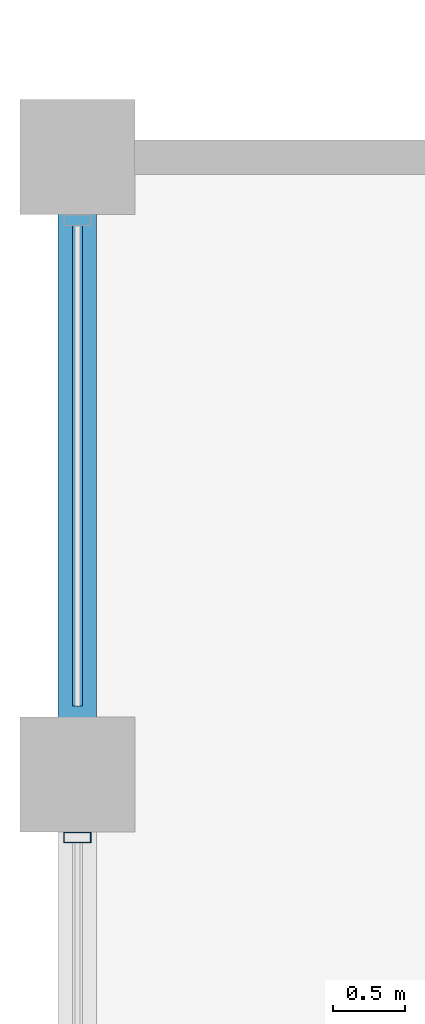
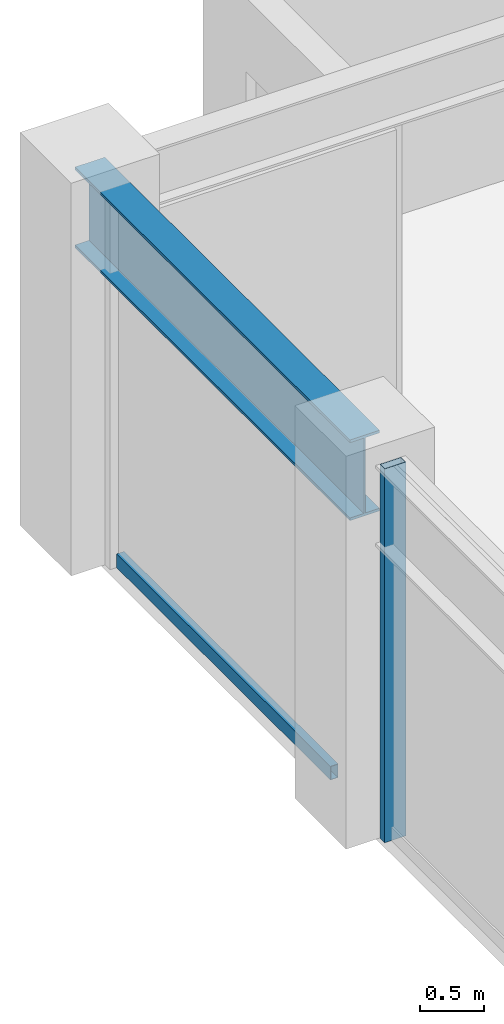
# One storey, part 16 of 32: 2 members, 1 beam, 1 element without a shape of its own.
"""IFC4 building model written with IfcOpenShell, lengths in metres."""

from ifc_helpers import new_model, si_unit, direction, frame, origin, origin_2d, place, context, subcontext, project, spatial, hollow_rectangle, i_section, extrude, material, layer, layer_set, material_profile, profile_set, type_object, element, aggregate, save


model = new_model("IFC4")

# Units and contexts
model_context = context("Model", 3, precision=1e-05, world=origin(), true_north=direction((0.0, 1.0)))
body_context = subcontext(model_context, "Body", "Model", "MODEL_VIEW")
ifc_project = project(units=[si_unit("LENGTHUNIT", "METRE"), si_unit("AREAUNIT", "SQUARE_METRE"), si_unit("VOLUMEUNIT", "CUBIC_METRE"), si_unit("PLANEANGLEUNIT", "RADIAN"), si_unit("MASSUNIT", "GRAM", prefix="KILO")], contexts=[model_context])

# Site, building, storey
site_placement = place(None, origin())
site = spatial("IfcSite", under=ifc_project, at=site_placement, CompositionType="ELEMENT")
building_placement = place(site_placement, origin())
building = spatial("IfcBuilding", under=site, at=building_placement, Name="Surkhivell Harbour Commons", CompositionType="ELEMENT")
storey_placement = place(building_placement, frame((0.0, 0.0, 216.0)))
storey = spatial("IfcBuildingStorey", under=building, at=storey_placement, Name="L56", CompositionType="ELEMENT", Elevation=216.0)

# Beam
ifc_material_1 = material(Name="Steel S355", Category="steel")
ifc_material_profile_1 = material_profile(ifc_material_1, i_section(OverallWidth=0.26806640625, OverallDepth=0.77001953125, WebThickness=0.015625, FlangeThickness=0.025390625, at=origin_2d()), Name="UB762x267x197")
ifc_profile_set_1 = profile_set([ifc_material_profile_1], Name="Steel S355")
beam_type = type_object("IfcBeamType", Name="BM-SPN-762", PredefinedType="SPANDREL", material=ifc_profile_set_1)
beam_placement = place(storey_placement, frame((-27.0, 16.199951171875, 3.18505859375), z_axis=(0.0, 1.0, 0.0), x_axis=(-1.0, 0.0, 0.0)))
element("IfcBeam", 1, at=beam_placement, inside=storey, type_object=beam_type, Name="L56 Tube Spandrel (-27.0,16.2)", PredefinedType="SPANDREL", context=body_context, shape_type="SweptSolid", body=[
    extrude(i_section(OverallWidth=0.26806640625, OverallDepth=0.77001953125, WebThickness=0.015625, FlangeThickness=0.025390625, at=origin_2d()), origin(), (0.0, 0.0, 1.0), 4.300048828125),
])

# Curtain wall, members
ifc_material_2 = material(Name="Anodised pale-metal aluminium and insulated glazing", Category="aluminium")
ifc_layer = layer(ifc_material_2, 0.18994140625)
ifc_layer_set = layer_set([ifc_layer], Name="Anodised pale-metal aluminium and insulated glazing")
curtain_wall_type = type_object("IfcCurtainWallType", Name="CW-SYS-Z3", PredefinedType="NOTDEFINED", material=ifc_layer_set)
curtain_wall_placement = place(storey_placement, origin())
curtain_wall = element("IfcCurtainWall", 2, at=curtain_wall_placement, inside=storey, type_object=curtain_wall_type, Name="L56 Curtain Wall CW-L56-E12S1", PredefinedType="NOTDEFINED")
ifc_material_3 = material(Name="Anodised pale-metal aluminium alloy 6063-T6", Category="aluminium")
ifc_material_profile_2 = material_profile(ifc_material_3, hollow_rectangle(XDim=0.074951171875, YDim=0.18994140625, WallThickness=0.00390625, at=origin_2d()), Name="ALU-MULL-75x190")
ifc_profile_set_2 = profile_set([ifc_material_profile_2], Name="Anodised pale-metal aluminium alloy 6063-T6")
member_type_1 = type_object("IfcMemberType", Name="CWM-190", PredefinedType="MULLION", material=ifc_profile_set_2)
member_1_placement = place(storey_placement, frame((-27.0, 15.760498046875, 0.0), z_axis=(0.0, 0.0, 1.0), x_axis=(0.0, -1.0, 0.0)))
member_1 = element("IfcMember", 3, at=member_1_placement, type_object=member_type_1, Name="CW-Z3 mullion 2", PredefinedType="MULLION", context=body_context, shape_type="SweptSolid", body=[
    extrude(hollow_rectangle(XDim=0.074951171875, YDim=0.18994140625, WallThickness=0.00390625, at=origin_2d()), origin(), (0.0, 0.0, 1.0), 3.570068359375),
])
ifc_material_4 = material(Name="Champagne anodised aluminium alloy 6063-T6", Category="aluminium")
ifc_material_profile_3 = material_profile(ifc_material_4, hollow_rectangle(XDim=0.070068359375, YDim=0.1298828125, WallThickness=0.00341796875, at=origin_2d()), Name="ALU-TRAN-70x130")
ifc_profile_set_3 = profile_set([ifc_material_profile_3], Name="Champagne anodised aluminium alloy 6063-T6")
member_type_2 = type_object("IfcMemberType", Name="CWT-130", PredefinedType="USERDEFINED", material=ifc_profile_set_3)
member_2_placement = place(storey_placement, frame((-27.0, 20.02294921875, 0.06494140625), z_axis=(0.0, -1.0, 0.0), x_axis=(1.0, 0.0, 0.0)))
member_2 = element("IfcMember", 4, at=member_2_placement, type_object=member_type_2, Name="CW-Z3 transom 1.1", ObjectType="TRANSOM", PredefinedType="USERDEFINED", context=body_context, shape_type="SweptSolid", body=[
    extrude(hollow_rectangle(XDim=0.070068359375, YDim=0.1298828125, WallThickness=0.00341796875, at=origin_2d()), origin(), (0.0, 0.0, 1.0), 3.345947265625),
])
aggregate(curtain_wall, [member_2, member_1])

save(model, "model.ifc")
